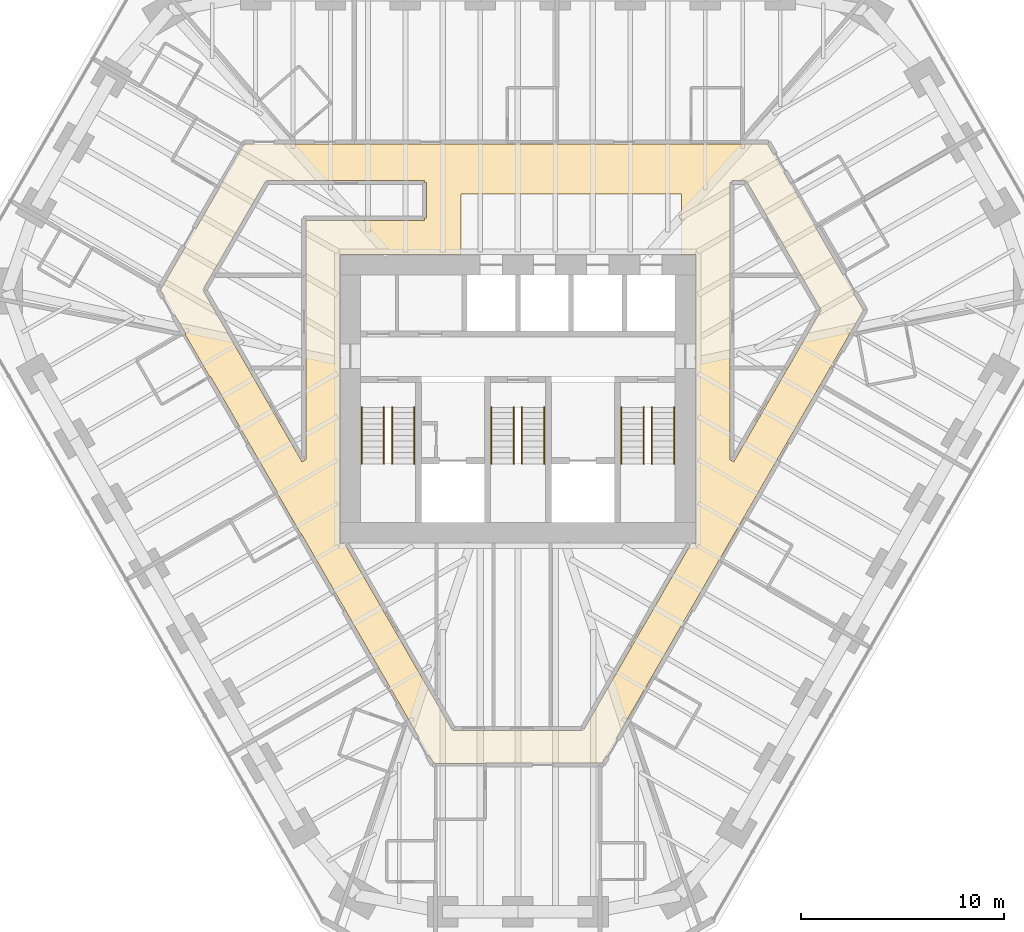
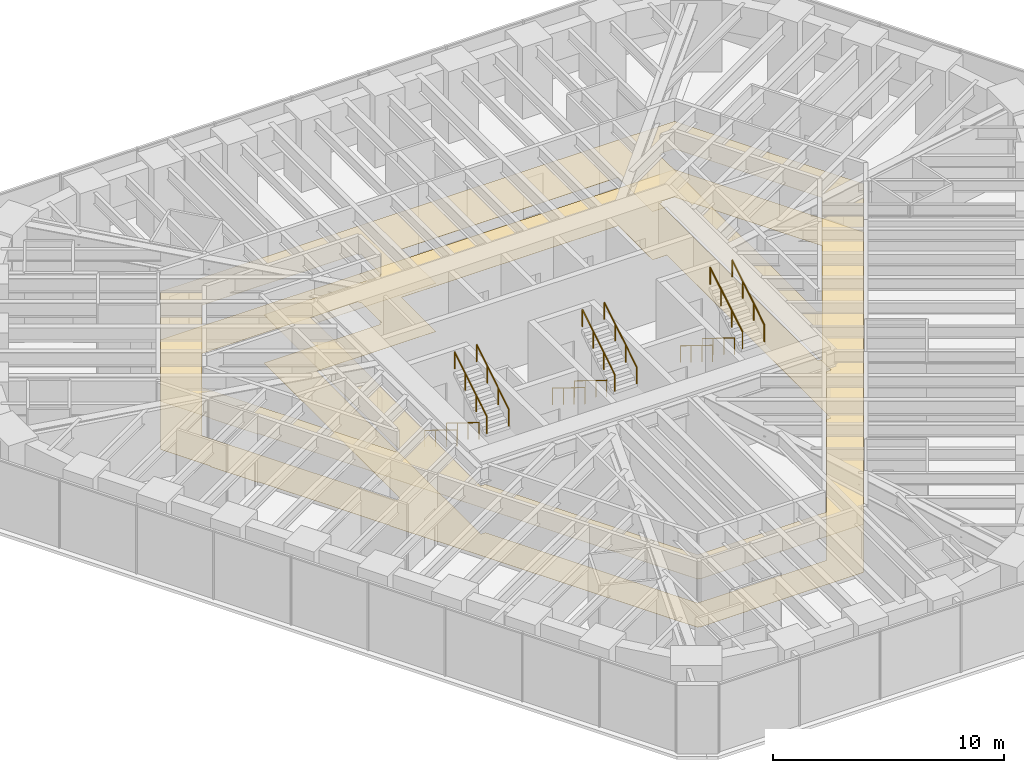
# One storey, part 16 of 16: 12 railings, 2 coverings.
"""IFC4 building model written with IfcOpenShell, lengths in metres."""

from ifc_helpers import new_model, si_unit, direction, frame, origin, origin_2d, place, context, subcontext, project, spatial, polyline, circle, outline, extrude, material, layer, layer_set, type_object, element, save


model = new_model("IFC4")

# Units and contexts
model_context = context("Model", 3, precision=1e-05, world=origin(), true_north=direction((0.0, 1.0)))
body_context = subcontext(model_context, "Body", "Model", "MODEL_VIEW")
ifc_project = project(units=[si_unit("LENGTHUNIT", "METRE"), si_unit("AREAUNIT", "SQUARE_METRE"), si_unit("VOLUMEUNIT", "CUBIC_METRE"), si_unit("PLANEANGLEUNIT", "RADIAN"), si_unit("MASSUNIT", "GRAM", prefix="KILO")], contexts=[model_context])

# Site, building, storey
site_placement = place(None, origin())
site = spatial("IfcSite", under=ifc_project, at=site_placement, CompositionType="ELEMENT")
building_placement = place(site_placement, origin())
building = spatial("IfcBuilding", under=site, at=building_placement, Name="Sandreach Pilgrim Tower", CompositionType="ELEMENT")
storey_placement = place(building_placement, frame((0.0, 0.0, 209.800048828125)))
storey = spatial("IfcBuildingStorey", under=building, at=storey_placement, Name="L52", CompositionType="ELEMENT", Elevation=209.800048828125)

# Coverings
ifc_material_1 = material(Name="Nylon carpet tile on the slab", Category="textile")
ifc_layer_1 = layer(ifc_material_1, 0.008056640625)
ifc_layer_set_1 = layer_set([ifc_layer_1], Name="Carpet tile")
covering_type_1 = type_object("IfcCoveringType", Name="Carpet tile", PredefinedType="FLOORING", material=ifc_layer_set_1)
covering_1_placement = place(storey_placement, origin())
element("IfcCovering", 1, at=covering_1_placement, inside=storey, type_object=covering_type_1, Name="Floor finish 52C Corridor 52", PredefinedType="FLOORING", context=body_context, shape_type="SweptSolid", body=[
    extrude(outline(polyline([(-13.445068359375, 12.56005859375), (12.292236328125, 12.56005859375), (17.0244140625, 4.369873046875), (4.15234375, -17.929931640625), (-1.60009765625, -17.929931640625), (-1.60009765625, -17.9580078125), (-4.050048828125, -17.969970703125), (-4.050048828125, -17.929931640625), (-4.15234375, -17.929931640625), (-10.643310546875, -6.68994140625), (-10.66357421875, -6.70166015625), (-11.8681640625, -4.624267578125), (-11.843505859375, -4.610107421875), (-15.143310546875, 1.10986328125), (-15.180908203125, 1.08837890625), (-16.387939453125, 3.169921875), (-16.353271484375, 3.189697265625), (-17.60302734375, 5.366943359375), (-13.445068359375, 12.56005859375)]), holes=[polyline([(10.449951171875, 10.659912109375), (10.449951171875, -2.9921875), (10.63671875, -3.10009765625), (14.945556640625, 4.370361328125), (11.247802734375, 10.760009765625), (10.56005859375, 10.760009765625), (10.56005859375, 10.66015625), (10.449951171875, 10.659912109375)]), polyline([(-3.227783203125, -16.330078125), (3.227783203125, -16.330078125), (8.542724609375, -7.1201171875), (8.77001953125, -7.1201171875), (8.77001953125, 7.1201171875), (8.050048828125, 7.1201171875), (8.050048828125, 10.10009765625), (-2.800048828125, 10.10009765625), (-2.800048828125, 7.1201171875), (-8.77001953125, 7.1201171875), (-8.77001953125, -7.1201171875), (-8.542724609375, -7.1201171875), (-3.227783203125, -16.330078125)]), polyline([(-15.525634765625, 5.370361328125), (-10.636474609375, -3.10009765625), (-10.449951171875, -2.9921875), (-10.449951171875, 8.800048828125), (-4.60009765625, 8.800048828125), (-4.60009765625, 8.909912109375), (-4.5, 8.909912109375), (-4.5, 10.64990234375), (-4.60009765625, 10.64990234375), (-4.60009765625, 10.760009765625), (-12.40771484375, 10.760009765625), (-15.525634765625, 5.370361328125)])]), origin(), (0.0, 0.0, 1.0), 0.008056640625),
])
ifc_material_2 = material(Name="Gypsum board suspended ceiling on a steel grid", Category="steel")
ifc_layer_2 = layer(ifc_material_2, 0.012939453125)
ifc_layer_set_2 = layer_set([ifc_layer_2], Name="Gypsum board suspended ceiling")
covering_type_2 = type_object("IfcCoveringType", Name="Gypsum board suspended ceiling", PredefinedType="CEILING", material=ifc_layer_set_2)
covering_2_placement = place(storey_placement, frame((0.0, 0.0, 2.550048828125)))
element("IfcCovering", 2, at=covering_2_placement, inside=storey, type_object=covering_type_2, Name="Ceiling 52C Corridor 52", PredefinedType="CEILING", context=body_context, shape_type="SweptSolid", body=[
    extrude(outline(polyline([(-13.445068359375, 12.56005859375), (12.292236328125, 12.56005859375), (17.0244140625, 4.369873046875), (4.15234375, -17.929931640625), (-1.60009765625, -17.929931640625), (-1.60009765625, -17.9580078125), (-4.050048828125, -17.969970703125), (-4.050048828125, -17.929931640625), (-4.15234375, -17.929931640625), (-10.643310546875, -6.68994140625), (-10.66357421875, -6.70166015625), (-11.8681640625, -4.624267578125), (-11.843505859375, -4.610107421875), (-15.143310546875, 1.10986328125), (-15.180908203125, 1.08837890625), (-16.387939453125, 3.169921875), (-16.353271484375, 3.189697265625), (-17.60302734375, 5.366943359375), (-13.445068359375, 12.56005859375)]), holes=[polyline([(10.449951171875, 10.659912109375), (10.449951171875, -2.9921875), (10.63671875, -3.10009765625), (14.945556640625, 4.370361328125), (11.247802734375, 10.760009765625), (10.56005859375, 10.760009765625), (10.56005859375, 10.66015625), (10.449951171875, 10.659912109375)]), polyline([(-3.227783203125, -16.330078125), (3.227783203125, -16.330078125), (8.542724609375, -7.1201171875), (8.77001953125, -7.1201171875), (8.77001953125, 7.1201171875), (8.050048828125, 7.1201171875), (8.050048828125, 10.10009765625), (-2.800048828125, 10.10009765625), (-2.800048828125, 7.1201171875), (-8.77001953125, 7.1201171875), (-8.77001953125, -7.1201171875), (-8.542724609375, -7.1201171875), (-3.227783203125, -16.330078125)]), polyline([(-15.525634765625, 5.370361328125), (-10.636474609375, -3.10009765625), (-10.449951171875, -2.9921875), (-10.449951171875, 8.800048828125), (-4.60009765625, 8.800048828125), (-4.60009765625, 8.909912109375), (-4.5, 8.909912109375), (-4.5, 10.64990234375), (-4.60009765625, 10.64990234375), (-4.60009765625, 10.760009765625), (-12.40771484375, 10.760009765625), (-15.525634765625, 5.370361328125)])]), origin(), (0.0, 0.0, 1.0), 0.012939453125),
])

# Railings
ifc_material_3 = material(Name="Stainless steel tube", Category="steel")
railing_type = type_object("IfcRailingType", Name="Stair handrail", PredefinedType="HANDRAIL", material=ifc_material_3)
for number, where, name in (
    (3, (-6.60009765625, -0.39990234375, 0.172607421875), "Handrail ST1 L52 flight 1"),
    (4, (-7.699951171875, -0.39990234375, 0.172607421875), "Handrail ST1 L52 flight 1"),
):
    element("IfcRailing", number, at=place(storey_placement, frame(where)), inside=storey, type_object=railing_type, Name=name, PredefinedType="HANDRAIL", context=body_context, shape_type="SweptSolid", body=[
        extrude(circle(Radius=0.02392578125, at=origin_2d()), frame((0.0, 0.0, 0.8759765625), z_axis=(0.0, -0.851089632645, 0.525020415988), x_axis=(1.0, 0.0, 0.0)), (0.0, 0.0, 1.0), 3.2900390625),
        extrude(circle(Radius=0.02099609375, at=origin_2d()), origin(), (0.0, 0.0, 1.0), 0.851806640625),
        extrude(circle(Radius=0.02099609375, at=origin_2d()), frame((0.0, -0.933349609375, 0.57568359375)), (0.0, 0.0, 1.0), 0.851806640625),
        extrude(circle(Radius=0.02099609375, at=origin_2d()), frame((0.0, -1.86669921875, 1.151611328125)), (0.0, 0.0, 1.0), 0.851806640625),
        extrude(circle(Radius=0.02099609375, at=origin_2d()), frame((0.0, -2.800048828125, 1.727294921875)), (0.0, 0.0, 1.0), 0.851806640625),
    ])
for number, where, name in (
    (5, (-6.199951171875, -3.199951171875, 2.07275390625), "Handrail ST1 L52 flight 2"),
    (6, (-5.10009765625, -3.199951171875, 2.07275390625), "Handrail ST1 L52 flight 2"),
):
    element("IfcRailing", number, at=place(storey_placement, frame(where)), inside=storey, type_object=railing_type, Name=name, PredefinedType="HANDRAIL", context=body_context, shape_type="SweptSolid", body=[
        extrude(circle(Radius=0.02392578125, at=origin_2d()), frame((0.0, 0.0, 0.8759765625), z_axis=(0.0, 0.851089632645, 0.525020415988), x_axis=(-1.0, 0.0, 0.0)), (0.0, 0.0, 1.0), 3.2900390625),
        extrude(circle(Radius=0.02099609375, at=origin_2d()), origin(), (0.0, 0.0, 1.0), 0.851806640625),
        extrude(circle(Radius=0.02099609375, at=origin_2d()), frame((0.0, 0.933349609375, 0.57568359375)), (0.0, 0.0, 1.0), 0.851806640625),
        extrude(circle(Radius=0.02099609375, at=origin_2d()), frame((0.0, 1.86669921875, 1.151611328125)), (0.0, 0.0, 1.0), 0.851806640625),
        extrude(circle(Radius=0.02099609375, at=origin_2d()), frame((0.0, 2.800048828125, 1.727294921875)), (0.0, 0.0, 1.0), 0.851806640625),
    ])
for number, where, name in (
    (7, (-0.199951171875, -0.39990234375, 0.172607421875), "Handrail ST3 L52 flight 1"),
    (8, (-1.300048828125, -0.39990234375, 0.172607421875), "Handrail ST3 L52 flight 1"),
):
    element("IfcRailing", number, at=place(storey_placement, frame(where)), inside=storey, type_object=railing_type, Name=name, PredefinedType="HANDRAIL", context=body_context, shape_type="SweptSolid", body=[
        extrude(circle(Radius=0.02392578125, at=origin_2d()), frame((0.0, 0.0, 0.8759765625), z_axis=(0.0, -0.851089632645, 0.525020415988), x_axis=(1.0, 0.0, 0.0)), (0.0, 0.0, 1.0), 3.2900390625),
        extrude(circle(Radius=0.02099609375, at=origin_2d()), origin(), (0.0, 0.0, 1.0), 0.851806640625),
        extrude(circle(Radius=0.02099609375, at=origin_2d()), frame((0.0, -0.933349609375, 0.57568359375)), (0.0, 0.0, 1.0), 0.851806640625),
        extrude(circle(Radius=0.02099609375, at=origin_2d()), frame((0.0, -1.86669921875, 1.151611328125)), (0.0, 0.0, 1.0), 0.851806640625),
        extrude(circle(Radius=0.02099609375, at=origin_2d()), frame((0.0, -2.800048828125, 1.727294921875)), (0.0, 0.0, 1.0), 0.851806640625),
    ])
for number, where, name in (
    (9, (0.199951171875, -3.199951171875, 2.07275390625), "Handrail ST3 L52 flight 2"),
    (10, (1.300048828125, -3.199951171875, 2.07275390625), "Handrail ST3 L52 flight 2"),
):
    element("IfcRailing", number, at=place(storey_placement, frame(where)), inside=storey, type_object=railing_type, Name=name, PredefinedType="HANDRAIL", context=body_context, shape_type="SweptSolid", body=[
        extrude(circle(Radius=0.02392578125, at=origin_2d()), frame((0.0, 0.0, 0.8759765625), z_axis=(0.0, 0.851089632645, 0.525020415988), x_axis=(-1.0, 0.0, 0.0)), (0.0, 0.0, 1.0), 3.2900390625),
        extrude(circle(Radius=0.02099609375, at=origin_2d()), origin(), (0.0, 0.0, 1.0), 0.851806640625),
        extrude(circle(Radius=0.02099609375, at=origin_2d()), frame((0.0, 0.933349609375, 0.57568359375)), (0.0, 0.0, 1.0), 0.851806640625),
        extrude(circle(Radius=0.02099609375, at=origin_2d()), frame((0.0, 1.86669921875, 1.151611328125)), (0.0, 0.0, 1.0), 0.851806640625),
        extrude(circle(Radius=0.02099609375, at=origin_2d()), frame((0.0, 2.800048828125, 1.727294921875)), (0.0, 0.0, 1.0), 0.851806640625),
    ])
for number, where, name in (
    (11, (6.199951171875, -0.39990234375, 0.172607421875), "Handrail ST2 L52 flight 1"),
    (12, (5.10009765625, -0.39990234375, 0.172607421875), "Handrail ST2 L52 flight 1"),
):
    element("IfcRailing", number, at=place(storey_placement, frame(where)), inside=storey, type_object=railing_type, Name=name, PredefinedType="HANDRAIL", context=body_context, shape_type="SweptSolid", body=[
        extrude(circle(Radius=0.02392578125, at=origin_2d()), frame((0.0, 0.0, 0.8759765625), z_axis=(0.0, -0.851089632645, 0.525020415988), x_axis=(1.0, 0.0, 0.0)), (0.0, 0.0, 1.0), 3.2900390625),
        extrude(circle(Radius=0.02099609375, at=origin_2d()), origin(), (0.0, 0.0, 1.0), 0.851806640625),
        extrude(circle(Radius=0.02099609375, at=origin_2d()), frame((0.0, -0.933349609375, 0.57568359375)), (0.0, 0.0, 1.0), 0.851806640625),
        extrude(circle(Radius=0.02099609375, at=origin_2d()), frame((0.0, -1.86669921875, 1.151611328125)), (0.0, 0.0, 1.0), 0.851806640625),
        extrude(circle(Radius=0.02099609375, at=origin_2d()), frame((0.0, -2.800048828125, 1.727294921875)), (0.0, 0.0, 1.0), 0.851806640625),
    ])
for number, where, name in (
    (13, (6.60009765625, -3.199951171875, 2.07275390625), "Handrail ST2 L52 flight 2"),
    (14, (7.699951171875, -3.199951171875, 2.07275390625), "Handrail ST2 L52 flight 2"),
):
    element("IfcRailing", number, at=place(storey_placement, frame(where)), inside=storey, type_object=railing_type, Name=name, PredefinedType="HANDRAIL", context=body_context, shape_type="SweptSolid", body=[
        extrude(circle(Radius=0.02392578125, at=origin_2d()), frame((0.0, 0.0, 0.8759765625), z_axis=(0.0, 0.851089632645, 0.525020415988), x_axis=(-1.0, 0.0, 0.0)), (0.0, 0.0, 1.0), 3.2900390625),
        extrude(circle(Radius=0.02099609375, at=origin_2d()), origin(), (0.0, 0.0, 1.0), 0.851806640625),
        extrude(circle(Radius=0.02099609375, at=origin_2d()), frame((0.0, 0.933349609375, 0.57568359375)), (0.0, 0.0, 1.0), 0.851806640625),
        extrude(circle(Radius=0.02099609375, at=origin_2d()), frame((0.0, 1.86669921875, 1.151611328125)), (0.0, 0.0, 1.0), 0.851806640625),
        extrude(circle(Radius=0.02099609375, at=origin_2d()), frame((0.0, 2.800048828125, 1.727294921875)), (0.0, 0.0, 1.0), 0.851806640625),
    ])

save(model, "model.ifc")
